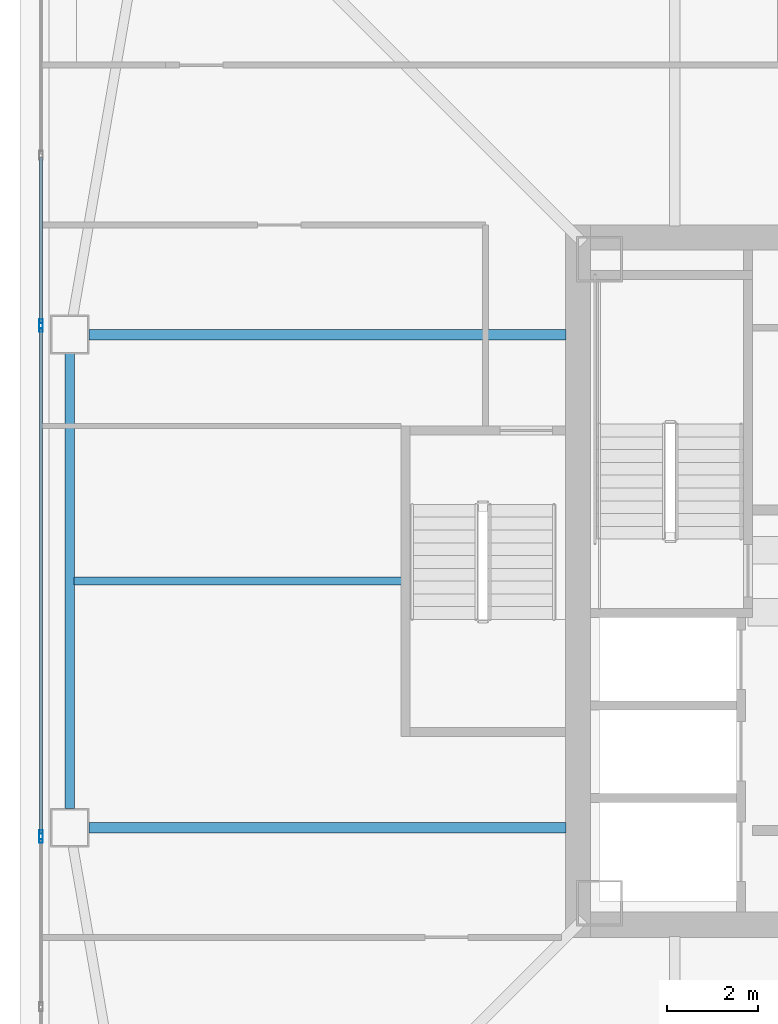
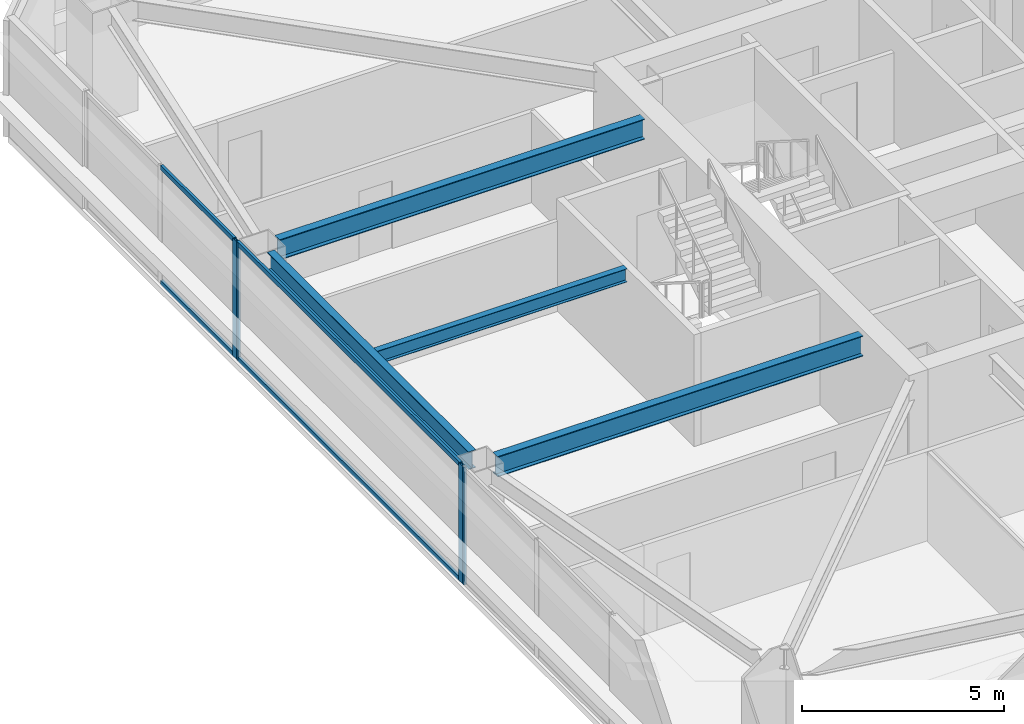
# One storey, part 8 of 44: 8 members, 4 beams, 3 elements without a shape of their own.
"""IFC4 building model written with IfcOpenShell, lengths in metres."""

import ifcopenshell
import ifcopenshell.guid

model = None  # the IFC model being written
_history = None  # IfcOwnerHistory: only IFC2X3 demands one
_inside = {}  # id of a spatial element -> (the spatial element, [elements in it])
_under = {}  # id of a project, library or spatial element -> (it, [spatial elements below it])
_declared = {}  # id of a project -> (the project, [libraries it declares])
_typed = {}  # id of a type object -> (the type object, [elements of that type])
_made_of = {}  # id of a material, layer set ... -> (it, [elements and type objects made of it])


def new_model(schema):
    """Start an empty IFC model of exactly this schema.

    Asked for "IFC4X3", IfcOpenShell would pick the latest addendum, in which some entities
    have other attributes; the version numbers below select the first issue.
    IFC2X3 requires an IfcOwnerHistory on every rooted entity: one is made here for all.
    """
    global model, _history
    if schema == "IFC4X3":
        model = ifcopenshell.file(schema_version=(4, 3, 0, 0))
    else:
        model = ifcopenshell.file(schema=schema)
    _inside.clear()
    _under.clear()
    _declared.clear()
    _typed.clear()
    _made_of.clear()
    _history = None
    if model.schema == "IFC2X3":
        org = make("IfcOrganization", Name="unknown")
        user = make(
            "IfcPersonAndOrganization",
            ThePerson=make("IfcPerson", FamilyName="unknown"),
            TheOrganization=org,
        )
        app = make(
            "IfcApplication",
            ApplicationDeveloper=org,
            Version="unknown",
            ApplicationFullName="unknown",
            ApplicationIdentifier="unknown",
        )
        _history = make(
            "IfcOwnerHistory",
            OwningUser=user,
            OwningApplication=app,
            ChangeAction="ADDED",
            CreationDate=0,
        )
    return model


def make(cls, **values):
    """One entity of the class cls with the attributes given. An attribute that is None is left unset."""
    return model.create_entity(
        cls, **{name: value for name, value in values.items() if value is not None}
    )


def rooted(cls, **values):
    """An entity with a GlobalId (a new one), such as an element, a storey or a relation."""
    return make(cls, GlobalId=ifcopenshell.guid.new(), OwnerHistory=_history, **values)


def si_unit(unit_type, name, prefix=None):
    """IfcSIUnit, for example si_unit("LENGTHUNIT", "METRE", prefix="MILLI")."""
    return make("IfcSIUnit", UnitType=unit_type, Prefix=prefix, Name=name)


def assignment(units):
    """IfcUnitAssignment: the units of a project."""
    return None if units is None else make("IfcUnitAssignment", Units=units)


def point(xyz):
    """IfcCartesianPoint."""
    return None if xyz is None else make("IfcCartesianPoint", Coordinates=xyz)


def direction(xyz):
    """IfcDirection."""
    return None if xyz is None else make("IfcDirection", DirectionRatios=xyz)


def frame(location, z_axis=None, x_axis=None):
    """IfcAxis2Placement3D, a coordinate frame: its origin and axes. An axis left out is left unset."""
    return make(
        "IfcAxis2Placement3D",
        Location=point(location),
        Axis=direction(z_axis),
        RefDirection=direction(x_axis),
    )


def frame_2d(location, x_axis=None):
    """IfcAxis2Placement2D, a coordinate frame in the plane: its origin and x axis."""
    return make(
        "IfcAxis2Placement2D", Location=point(location), RefDirection=direction(x_axis)
    )


def origin():
    """The frame at (0, 0, 0) with its axes left unset."""
    return frame((0.0, 0.0, 0.0))


def origin_2d():
    """The frame at (0, 0) in the plane with its x axis left unset."""
    return frame_2d((0.0, 0.0))


def place(relative_to, where):
    """IfcLocalPlacement: puts the frame where relative to a parent placement (None: the world)."""
    return make(
        "IfcLocalPlacement", PlacementRelTo=relative_to, RelativePlacement=where
    )


def context(
    kind, dimensions, precision=None, world=None, true_north=None, identifier=None
):
    """IfcGeometricRepresentationContext, for example the 3D "Model" context."""
    return make(
        "IfcGeometricRepresentationContext",
        ContextIdentifier=identifier,
        ContextType=kind,
        CoordinateSpaceDimension=dimensions,
        Precision=precision,
        WorldCoordinateSystem=world,
        TrueNorth=true_north,
    )


def subcontext(parent, identifier, kind, view, scale=None):
    """IfcGeometricRepresentationSubContext, for example "Body" below "Model"."""
    return make(
        "IfcGeometricRepresentationSubContext",
        ContextIdentifier=identifier,
        ContextType=kind,
        ParentContext=parent,
        TargetScale=scale,
        TargetView=view,
    )


def project(units=None, contexts=None):
    """IfcProject with its units and contexts."""
    return rooted(
        "IfcProject",
        Name="project",
        RepresentationContexts=contexts,
        UnitsInContext=assignment(units),
    )


def spatial(cls, under=None, at=None, **own):
    """A site, building, storey or space (cls), placed at a placement, below another one or the project."""
    s = rooted(cls, ObjectPlacement=at, **own)
    if under is not None:
        _under.setdefault(under.id(), (under, []))[1].append(s)
    return s


def profile(cls, at=None, kind="AREA", **sizes):
    """A parametric profile (cls). Its sizes go by their IFC names, for example OverallWidth=200.0."""
    return make(cls, ProfileType=kind, Position=at, **sizes)


def hollow_rectangle(**sizes):
    """IfcRectangleHollowProfileDef."""
    return profile("IfcRectangleHollowProfileDef", **sizes)


def i_section(**sizes):
    """IfcIShapeProfileDef."""
    return profile("IfcIShapeProfileDef", **sizes)


def extrude(swept, where, along, depth):
    """IfcExtrudedAreaSolid: the profile swept, set in the frame where, extruded along a direction by depth."""
    return make(
        "IfcExtrudedAreaSolid",
        SweptArea=swept,
        Position=where,
        ExtrudedDirection=direction(along),
        Depth=depth,
    )


def shape(context_of_items, identifier, shape_type, items):
    """IfcShapeRepresentation: the items that make up one representation, for example the "Body"."""
    return make(
        "IfcShapeRepresentation",
        ContextOfItems=context_of_items,
        RepresentationIdentifier=identifier,
        RepresentationType=shape_type,
        Items=items,
    )


def material(Name=None, Category=None):
    """IfcMaterial."""
    return make("IfcMaterial", Name=Name, Category=Category)


def material_profile(
    of_material, cross_section, Name=None, Category=None, Priority=None
):
    """IfcMaterialProfile: a cross section and its material."""
    return make(
        "IfcMaterialProfile",
        Name=Name,
        Material=of_material,
        Profile=cross_section,
        Priority=Priority,
        Category=Category,
    )


def profile_set(profiles, Name=None, composite=None):
    """IfcMaterialProfileSet."""
    return make(
        "IfcMaterialProfileSet",
        Name=Name,
        MaterialProfiles=profiles,
        CompositeProfile=composite,
    )


def made_of(thing, what):
    """Note that an element or type object is made of a material, layer set ...; save() writes the relation."""
    if what is not None:
        _made_of.setdefault(what.id(), (what, []))[1].append(thing)
    return thing


def type_object(cls, material=None, **own):
    """A type object (cls), such as IfcWallType, which elements share."""
    return made_of(rooted(cls, **own), material)


def element(
    cls,
    number,
    at=None,
    inside=None,
    cuts=None,
    type_object=None,
    material=None,
    context=None,
    identifier="Body",
    shape_type=None,
    held_by="IfcProductDefinitionShape",
    body=None,
    shapes=None,
    **own,
):
    """One element of the class cls, such as IfcWall. Its Tag is "e" and its number.

    at: its placement. inside: the storey or other place that contains it. cuts: it is an
    opening in that element (IfcRelVoidsElement). A single representation is given by context,
    identifier, shape_type and body (its items); several are given by shapes. held_by: the class
    of the entity that holds the representations. save() writes the other relations.
    """
    e = rooted(cls, Tag="e%d" % number, ObjectPlacement=at, **own)
    if body is not None:
        shapes = [shape(context, identifier, shape_type, body)]
    if shapes is not None:
        e.Representation = make(held_by, Representations=shapes)
    if inside is not None:
        _inside.setdefault(inside.id(), (inside, []))[1].append(e)
    if cuts is not None:
        rooted(
            "IfcRelVoidsElement", RelatingBuildingElement=cuts, RelatedOpeningElement=e
        )
    if type_object is not None:
        _typed.setdefault(type_object.id(), (type_object, []))[1].append(e)
    return made_of(e, material)


def aggregate(whole, parts):
    """IfcRelAggregates: a whole, such as a stair, and the parts it consists of."""
    return rooted("IfcRelAggregates", RelatingObject=whole, RelatedObjects=parts)


def save(model, path):
    """Write the relations noted so far, then the file.

    IfcRelAggregates (storeys below a building ...), IfcRelContainedInSpatialStructure (elements
    in a storey), IfcRelDefinesByType, IfcRelAssociatesMaterial and IfcRelDeclares: one each for
    every whole, place, type object, material and project.
    """
    for whole, parts in _under.values():
        aggregate(whole, parts)
    for where, things in _inside.values():
        rooted(
            "IfcRelContainedInSpatialStructure",
            RelatedElements=things,
            RelatingStructure=where,
        )
    for kind, things in _typed.values():
        rooted("IfcRelDefinesByType", RelatedObjects=things, RelatingType=kind)
    for what, things in _made_of.values():
        rooted("IfcRelAssociatesMaterial", RelatedObjects=things, RelatingMaterial=what)
    for by, libraries in _declared.values():
        rooted("IfcRelDeclares", RelatingContext=by, RelatedDefinitions=libraries)
    model.write(path)


model = new_model("IFC4")

# Units and contexts
model_context = context("Model", 3, precision=1e-05, world=origin(), true_north=direction((0.0, 1.0)))
body_context = subcontext(model_context, "Body", "Model", "MODEL_VIEW")
ifc_project = project(units=[si_unit("LENGTHUNIT", "METRE"), si_unit("AREAUNIT", "SQUARE_METRE"), si_unit("VOLUMEUNIT", "CUBIC_METRE"), si_unit("PLANEANGLEUNIT", "RADIAN"), si_unit("MASSUNIT", "GRAM", prefix="KILO")], contexts=[model_context])

# Site, building, storey
site_placement = place(None, origin())
site = spatial("IfcSite", under=ifc_project, at=site_placement, CompositionType="ELEMENT")
building_placement = place(site_placement, origin())
building = spatial("IfcBuilding", under=site, at=building_placement, Name="Tashvorn Skyway Center", CompositionType="ELEMENT")
storey_placement = place(building_placement, frame((0.0, 0.0, 149.89990234375)))
storey = spatial("IfcBuildingStorey", under=building, at=storey_placement, Name="L40", CompositionType="ELEMENT", Elevation=149.89990234375)

# Beams
ifc_material_1 = material(Name="Steel ASTM A992 Grade 50", Category="steel")
ifc_material_profile_1 = material_profile(ifc_material_1, i_section(OverallWidth=0.22998046875, OverallDepth=0.616943359375, WebThickness=0.01318359375, FlangeThickness=0.022216796875, at=origin_2d()), Name="W24X94")
ifc_profile_set_1 = profile_set([ifc_material_profile_1], Name="Steel ASTM A992 Grade 50")
beam_type_1 = type_object("IfcBeamType", Name="BM-BEAM-W24X94", PredefinedType="BEAM", material=ifc_profile_set_1)
for number, where, z_axis, x_axis, name in (
    (1, (23.77001953125, 37.39990234375, 3.0615234375), (1.0, 0.0, 0.0), (0.0, 1.0, 0.0), "Tower 1 L40 Primary Floor Girder FC-W1"),
    (2, (23.77001953125, 26.60009765625, 3.0615234375), (1.0, 0.0, 0.0), (0.0, 1.0, 0.0), "Tower 1 L40 Primary Floor Girder FC-W2"),
):
    element("IfcBeam", number, at=place(storey_placement, frame(where, z_axis=z_axis, x_axis=x_axis)), inside=storey, type_object=beam_type_1, Name=name, PredefinedType="BEAM", context=body_context, shape_type="SweptSolid", body=[
        extrude(i_section(OverallWidth=0.22998046875, OverallDepth=0.616943359375, WebThickness=0.01318359375, FlangeThickness=0.022216796875, at=origin_2d()), origin(), (0.0, 0.0, 1.0), 10.449951171875),
    ])
ifc_material_profile_2 = material_profile(ifc_material_1, i_section(OverallWidth=0.177978515625, OverallDepth=0.406005859375, WebThickness=0.0078125, FlangeThickness=0.0126953125, at=origin_2d()), Name="W16X40")
ifc_profile_set_2 = profile_set([ifc_material_profile_2], Name="Steel ASTM A992 Grade 50")
beam_type_2 = type_object("IfcBeamType", Name="BM-JOIST-W16X40", PredefinedType="JOIST", material=ifc_profile_set_2)
beam_1_placement = place(storey_placement, frame((30.610107421875, 32.0, 3.1669921875), z_axis=(-1.0, 0.0, 0.0), x_axis=(0.0, -1.0, 0.0)))
element("IfcBeam", 3, at=beam_1_placement, inside=storey, type_object=beam_type_2, Name="Tower 1 L40 Secondary Composite Joist JW", PredefinedType="JOIST", context=body_context, shape_type="SweptSolid", body=[
    extrude(i_section(OverallWidth=0.177978515625, OverallDepth=0.406005859375, WebThickness=0.0078125, FlangeThickness=0.0126953125, at=origin_2d()), origin(), (0.0, 0.0, 1.0), 7.16259765625),
])
ifc_material_profile_3 = material_profile(ifc_material_1, i_section(OverallWidth=0.2109375, OverallDepth=0.5390625, WebThickness=0.01171875, FlangeThickness=0.018798828125, at=origin_2d()), Name="W21X73")
ifc_profile_set_3 = profile_set([ifc_material_profile_3], Name="Steel ASTM A992 Grade 50")
beam_type_3 = type_object("IfcBeamType", Name="BM-SPANDREL-W21X73", PredefinedType="SPANDREL", material=ifc_profile_set_3)
beam_2_placement = place(storey_placement, frame((23.35009765625, 36.97998046875, 3.1005859375), z_axis=(0.0, -1.0, 0.0), x_axis=(1.0, 0.0, 0.0)))
element("IfcBeam", 4, at=beam_2_placement, inside=storey, type_object=beam_type_3, Name="Tower 1 L40 Spandrel Beam 11", PredefinedType="SPANDREL", context=body_context, shape_type="SweptSolid", body=[
    extrude(i_section(OverallWidth=0.2109375, OverallDepth=0.5390625, WebThickness=0.01171875, FlangeThickness=0.018798828125, at=origin_2d()), origin(), (0.0, 0.0, 1.0), 9.9599609375),
])

# Curtain wall, member
ifc_material_2 = material(Name="Thermally broken bronze-anodized aluminium 6063-T6", Category="aluminium")
curtain_wall_type = type_object("IfcCurtainWallType", Name="CW-CW-Z3", PredefinedType="NOTDEFINED", material=ifc_material_2)
curtain_wall_1_placement = place(storey_placement, origin())
curtain_wall_1 = element("IfcCurtainWall", 5, at=curtain_wall_1_placement, inside=storey, type_object=curtain_wall_type, Name="Tower 1 L40 West Unitised Curtain Wall Glazing Group 1", PredefinedType="NOTDEFINED")
ifc_material_profile_4 = material_profile(ifc_material_2, hollow_rectangle(XDim=0.074951171875, YDim=0.199951171875, WallThickness=0.00439453125, at=origin_2d()), Name="ALU-MULL-75x200")
ifc_profile_set_4 = profile_set([ifc_material_profile_4], Name="Thermally broken bronze-anodized aluminium 6063-T6")
member_type_1 = type_object("IfcMemberType", Name="CWM-CW-Z3", PredefinedType="MULLION", material=ifc_profile_set_4)
member_1_placement = place(storey_placement, frame((22.719970703125, 26.369140625, 0.0), z_axis=(0.0, 0.0, 1.0), x_axis=(-1.0, 0.0, 0.0)))
member_1 = element("IfcMember", 6, at=member_1_placement, type_object=member_type_1, Name="CW-Z3 mullion 3", PredefinedType="MULLION", context=body_context, shape_type="SweptSolid", body=[
    extrude(hollow_rectangle(XDim=0.074951171875, YDim=0.199951171875, WallThickness=0.00439453125, at=origin_2d()), origin(), (0.0, 0.0, 1.0), 3.550048828125),
])
aggregate(curtain_wall_1, [member_1])

# Curtain wall, members
curtain_wall_2_placement = place(storey_placement, origin())
curtain_wall_2 = element("IfcCurtainWall", 7, at=curtain_wall_2_placement, inside=storey, type_object=curtain_wall_type, Name="Tower 1 L40 West Unitised Curtain Wall Glazing Group 2", PredefinedType="NOTDEFINED")
member_2_placement = place(storey_placement, frame((22.719970703125, 26.444091796875, 0.0), z_axis=(0.0, 0.0, 1.0), x_axis=(-1.0, 0.0, 0.0)))
member_2 = element("IfcMember", 8, at=member_2_placement, type_object=member_type_1, Name="CW-Z3 mullion 1", PredefinedType="MULLION", context=body_context, shape_type="SweptSolid", body=[
    extrude(hollow_rectangle(XDim=0.074951171875, YDim=0.199951171875, WallThickness=0.00439453125, at=origin_2d()), origin(), (0.0, 0.0, 1.0), 3.550048828125),
])
member_3_placement = place(storey_placement, frame((22.719970703125, 37.555908203125, 0.0), z_axis=(0.0, 0.0, 1.0), x_axis=(-1.0, 0.0, 0.0)))
member_3 = element("IfcMember", 9, at=member_3_placement, type_object=member_type_1, Name="CW-Z3 mullion 2", PredefinedType="MULLION", context=body_context, shape_type="SweptSolid", body=[
    extrude(hollow_rectangle(XDim=0.074951171875, YDim=0.199951171875, WallThickness=0.00439453125, at=origin_2d()), origin(), (0.0, 0.0, 1.0), 3.550048828125),
])

# Curtain wall, member
curtain_wall_3_placement = place(storey_placement, origin())
curtain_wall_3 = element("IfcCurtainWall", 10, at=curtain_wall_3_placement, inside=storey, type_object=curtain_wall_type, Name="Tower 1 L40 West Unitised Curtain Wall Glazing Group 3", PredefinedType="NOTDEFINED")
member_4_placement = place(storey_placement, frame((22.719970703125, 37.630859375, 0.0), z_axis=(0.0, 0.0, 1.0), x_axis=(-1.0, 0.0, 0.0)))
member_4 = element("IfcMember", 11, at=member_4_placement, type_object=member_type_1, Name="CW-Z3 mullion 1", PredefinedType="MULLION", context=body_context, shape_type="SweptSolid", body=[
    extrude(hollow_rectangle(XDim=0.074951171875, YDim=0.199951171875, WallThickness=0.00439453125, at=origin_2d()), origin(), (0.0, 0.0, 1.0), 3.550048828125),
])

# Member
ifc_material_profile_5 = material_profile(ifc_material_2, hollow_rectangle(XDim=0.074951171875, YDim=0.139892578125, WallThickness=0.004150390625, at=origin_2d()), Name="ALU-TRAN-75x140")
ifc_profile_set_5 = profile_set([ifc_material_profile_5], Name="Thermally broken bronze-anodized aluminium 6063-T6")
member_type_2 = type_object("IfcMemberType", Name="CWT-CW-Z3", PredefinedType="USERDEFINED", material=ifc_profile_set_5)
member_5_placement = place(storey_placement, frame((22.719970703125, 26.481689453125, 0.03759765625), z_axis=(0.0, 1.0, 0.0), x_axis=(-1.0, 0.0, 0.0)))
member_5 = element("IfcMember", 12, at=member_5_placement, type_object=member_type_2, Name="CW-Z3 transom 1.1", ObjectType="TRANSOM", PredefinedType="USERDEFINED", context=body_context, shape_type="SweptSolid", body=[
    extrude(hollow_rectangle(XDim=0.074951171875, YDim=0.139892578125, WallThickness=0.004150390625, at=origin_2d()), origin(), (0.0, 0.0, 1.0), 11.03662109375),
])

member_6_placement = place(storey_placement, frame((22.719970703125, 26.481689453125, 3.5126953125), z_axis=(0.0, 1.0, 0.0), x_axis=(-1.0, 0.0, 0.0)))
member_6 = element("IfcMember", 13, at=member_6_placement, type_object=member_type_2, Name="CW-Z3 transom 1.2", ObjectType="TRANSOM", PredefinedType="USERDEFINED", context=body_context, shape_type="SweptSolid", body=[
    extrude(hollow_rectangle(XDim=0.074951171875, YDim=0.139892578125, WallThickness=0.004150390625, at=origin_2d()), origin(), (0.0, 0.0, 1.0), 11.03662109375),
])

aggregate(curtain_wall_2, [member_2, member_3, member_5, member_6])

member_7_placement = place(storey_placement, frame((22.719970703125, 37.668212890625, 0.03759765625), z_axis=(0.0, 1.0, 0.0), x_axis=(-1.0, 0.0, 0.0)))
member_7 = element("IfcMember", 14, at=member_7_placement, type_object=member_type_2, Name="CW-Z3 transom 1.1", ObjectType="TRANSOM", PredefinedType="USERDEFINED", context=body_context, shape_type="SweptSolid", body=[
    extrude(hollow_rectangle(XDim=0.074951171875, YDim=0.139892578125, WallThickness=0.004150390625, at=origin_2d()), origin(), (0.0, 0.0, 1.0), 3.616455078125),
])

member_8_placement = place(storey_placement, frame((22.719970703125, 37.668212890625, 3.5126953125), z_axis=(0.0, 1.0, 0.0), x_axis=(-1.0, 0.0, 0.0)))
member_8 = element("IfcMember", 15, at=member_8_placement, type_object=member_type_2, Name="CW-Z3 transom 1.2", ObjectType="TRANSOM", PredefinedType="USERDEFINED", context=body_context, shape_type="SweptSolid", body=[
    extrude(hollow_rectangle(XDim=0.074951171875, YDim=0.139892578125, WallThickness=0.004150390625, at=origin_2d()), origin(), (0.0, 0.0, 1.0), 3.616455078125),
])

aggregate(curtain_wall_3, [member_4, member_7, member_8])

save(model, "model.ifc")
